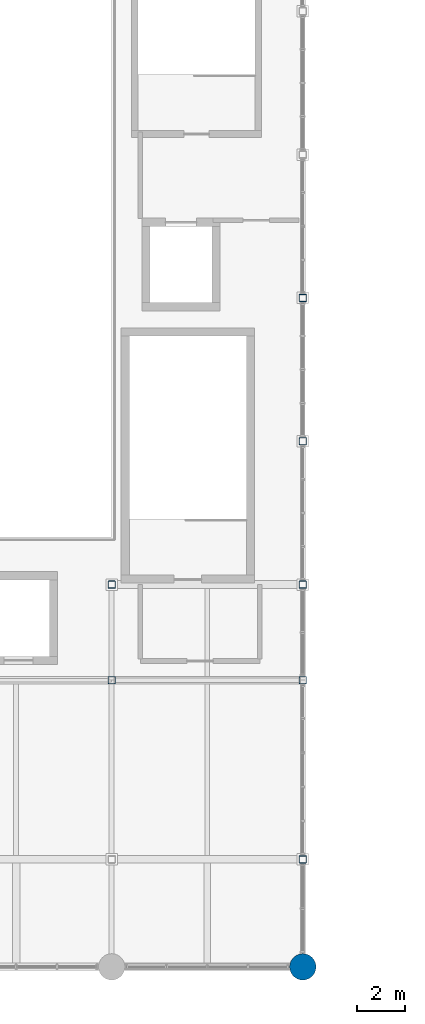
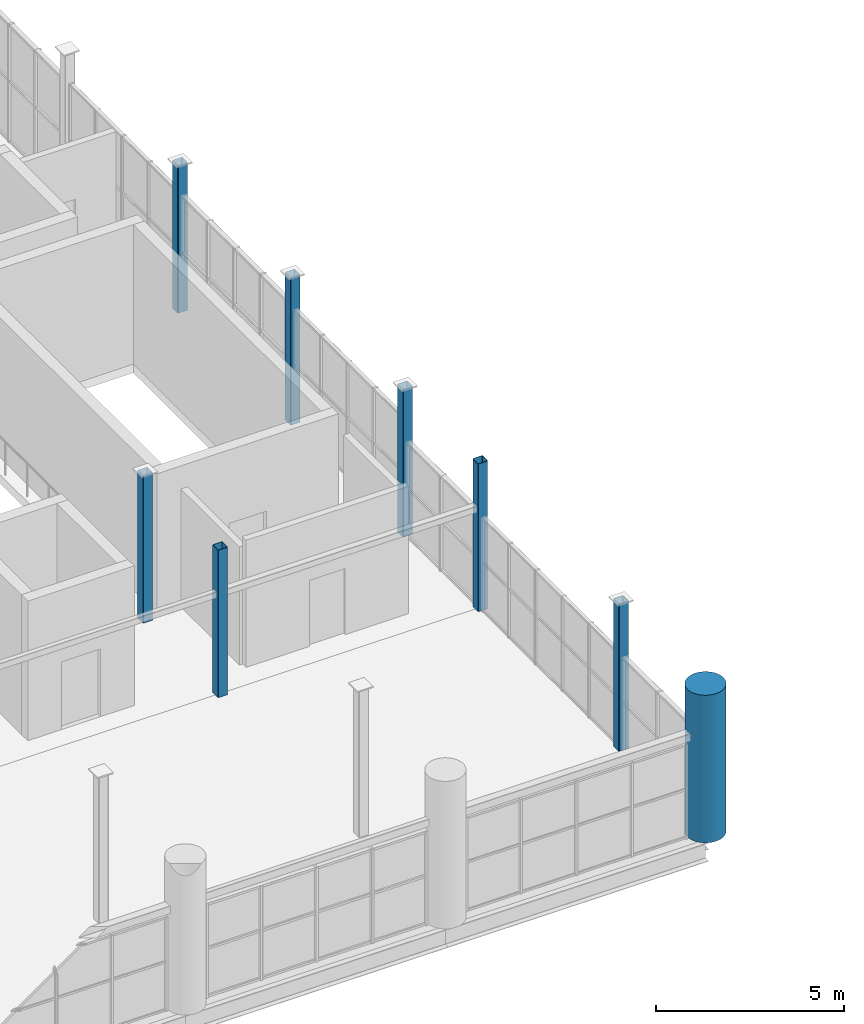
# One storey, part 6 of 114: 8 columns.
"""IFC4 building model written with IfcOpenShell, lengths in metres."""

from ifc_helpers import new_model, si_unit, direction, frame, origin, origin_2d, place, context, subcontext, project, spatial, hollow_rectangle, circle, extrude, material, material_profile, profile_set, type_object, element, save


model = new_model("IFC4")

# Units and contexts
model_context = context("Model", 3, precision=1e-05, world=origin(), true_north=direction((0.0, 1.0)))
body_context = subcontext(model_context, "Body", "Model", "MODEL_VIEW")
ifc_project = project(units=[si_unit("LENGTHUNIT", "METRE"), si_unit("AREAUNIT", "SQUARE_METRE"), si_unit("VOLUMEUNIT", "CUBIC_METRE"), si_unit("PLANEANGLEUNIT", "RADIAN"), si_unit("MASSUNIT", "GRAM", prefix="KILO")], contexts=[model_context])

# Site, building, storey
site_placement = place(None, origin())
site = spatial("IfcSite", under=ifc_project, at=site_placement, CompositionType="ELEMENT")
building_placement = place(site_placement, origin())
building = spatial("IfcBuilding", under=site, at=building_placement, Name="Verrall Gate Interchange", CompositionType="ELEMENT")
storey_placement = place(building_placement, frame((0.0, 0.0, 6.60009765625)))
storey = spatial("IfcBuildingStorey", under=building, at=storey_placement, Name="L02", CompositionType="ELEMENT", Elevation=6.60009765625)

# Columns
ifc_material_1 = material(Name="Concrete CSA A23.1 40 MPa (Class C-1)", Category="concrete")
ifc_material_profile_1 = material_profile(ifc_material_1, circle(Radius=0.550048828125, at=origin_2d()), Name="RC1100D")
ifc_profile_set_1 = profile_set([ifc_material_profile_1], Name="Concrete CSA A23.1 40 MPa (Class C-1)")
column_type_1 = type_object("IfcColumnType", Name="C-06 Column RC1100D", PredefinedType="COLUMN", material=ifc_profile_set_1)
column_placement = place(storey_placement, frame((108.0, 0.0, 0.0), z_axis=(0.0, 0.0, 1.0), x_axis=(1.0, 0.0, 0.0)))
element("IfcColumn", 1, at=column_placement, inside=storey, type_object=column_type_1, Name="L02 Column COL-L02-1125 (C-06)", PredefinedType="COLUMN", context=body_context, shape_type="SweptSolid", body=[
    extrude(circle(Radius=0.550048828125, at=origin_2d()), origin(), (0.0, 0.0, 1.0), 4.7998046875),
])
ifc_material_2 = material(Name="Structural Steel CSA G40.21 350WT Cat 4", Category="steel")
ifc_material_profile_2 = material_profile(ifc_material_2, hollow_rectangle(XDim=0.304931640625, YDim=0.304931640625, WallThickness=0.0126953125, InnerFilletRadius=0.0126953125, OuterFilletRadius=0.025390625, at=origin_2d()), Name="HSS305x305x13")
ifc_profile_set_2 = profile_set([ifc_material_profile_2], Name="Structural Steel CSA G40.21 350WT Cat 4")
column_type_2 = type_object("IfcColumnType", Name="C-12 Column HSS305x305x13", PredefinedType="COLUMN", material=ifc_profile_set_2)
for number, where, z_axis, x_axis, name in (
    (2, (100.0, 12.0, 0.0), (0.0, 0.0, 1.0), (1.0, 0.0, 0.0), "L02 Column COL-L02-1095 (C-12)"),
    (3, (100.0, 16.0, 0.0), (0.0, 0.0, 1.0), (1.0, 0.0, 0.0), "L02 Column COL-L02-1099 (C-12)"),
    (4, (108.0, 4.5, 0.0), (0.0, 0.0, 1.0), (1.0, 0.0, 0.0), "L02 Column COL-L02-1129 (C-12)"),
    (5, (108.0, 12.0, 0.0), (0.0, 0.0, 1.0), (1.0, 0.0, 0.0), "L02 Column COL-L02-1133 (C-12)"),
    (6, (108.0, 16.0, 0.0), (0.0, 0.0, 1.0), (1.0, 0.0, 0.0), "L02 Column COL-L02-1137 (C-12)"),
    (7, (108.0, 22.0, 0.0), (0.0, 0.0, 1.0), (1.0, 0.0, 0.0), "L02 Column COL-L02-1141 (C-12)"),
    (8, (108.0, 28.0, 0.0), (0.0, 0.0, 1.0), (1.0, 0.0, 0.0), "L02 Column COL-L02-1145 (C-12)"),
):
    element("IfcColumn", number, at=place(storey_placement, frame(where, z_axis=z_axis, x_axis=x_axis)), inside=storey, type_object=column_type_2, Name=name, PredefinedType="COLUMN", context=body_context, shape_type="SweptSolid", body=[
        extrude(hollow_rectangle(XDim=0.304931640625, YDim=0.304931640625, WallThickness=0.0126953125, InnerFilletRadius=0.0126953125, OuterFilletRadius=0.025390625, at=origin_2d()), origin(), (0.0, 0.0, 1.0), 4.7998046875),
    ])

save(model, "model.ifc")
